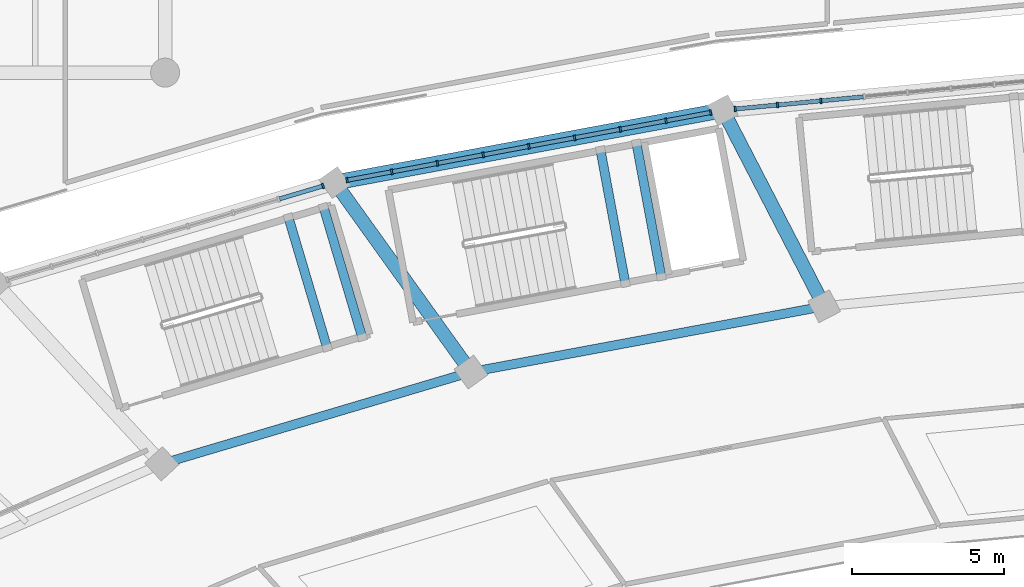
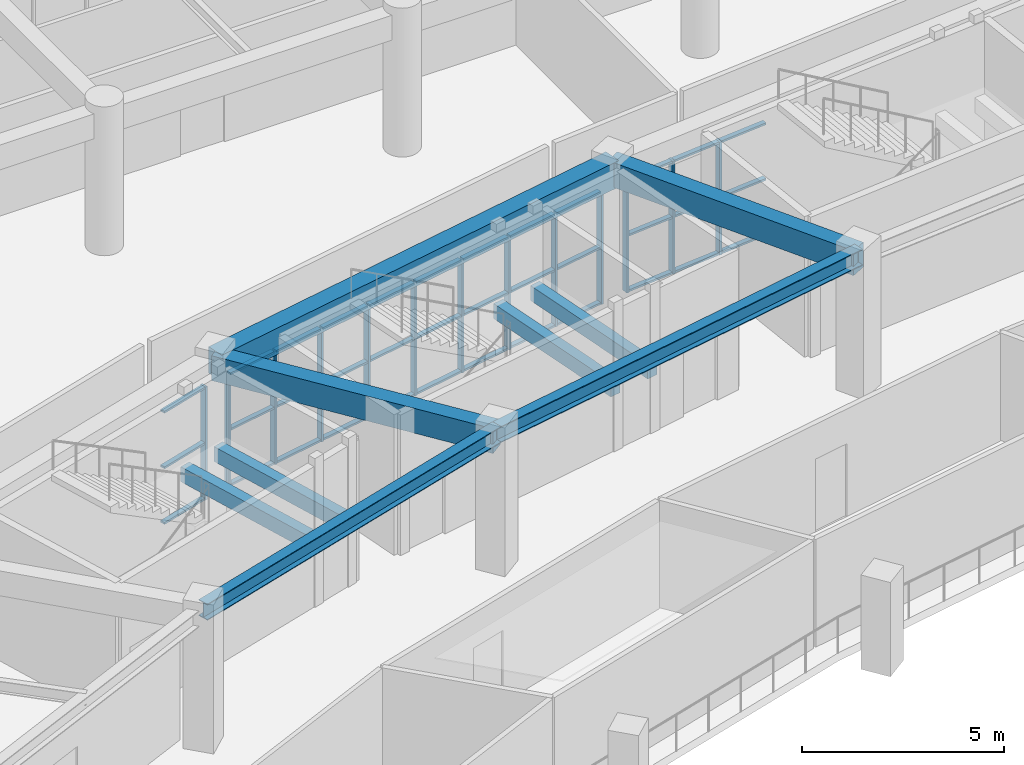
# One storey, part 55 of 141: 49 members, 9 beams, 3 elements without a shape of their own.
"""IFC4 building model written with IfcOpenShell, lengths in metres."""

from ifc_helpers import new_model, si_unit, direction, frame, origin, origin_2d, place, context, subcontext, project, spatial, rectangle, i_section, extrude, material, layer, layer_set, material_profile, profile_set, type_object, element, aggregate, save


model = new_model("IFC4")

# Units and contexts
model_context = context("Model", 3, precision=1e-05, world=origin(), true_north=direction((0.0, 1.0)))
body_context = subcontext(model_context, "Body", "Model", "MODEL_VIEW")
ifc_project = project(units=[si_unit("LENGTHUNIT", "METRE"), si_unit("AREAUNIT", "SQUARE_METRE"), si_unit("VOLUMEUNIT", "CUBIC_METRE"), si_unit("PLANEANGLEUNIT", "RADIAN"), si_unit("MASSUNIT", "GRAM", prefix="KILO")], contexts=[model_context])

# Site, building, storey
site_placement = place(None, origin())
site = spatial("IfcSite", under=ifc_project, at=site_placement, CompositionType="ELEMENT")
building_placement = place(site_placement, origin())
building = spatial("IfcBuilding", under=site, at=building_placement, Name="Mphavela Belvedere Stadium", CompositionType="ELEMENT")
storey_placement = place(building_placement, frame((0.0, 0.0, 14.699951171875)))
storey = spatial("IfcBuildingStorey", under=building, at=storey_placement, Name="L03", CompositionType="ELEMENT", Elevation=14.699951171875)

# Beams
ifc_material_1 = material(Name="Concrete C40/50", Category="concrete")
ifc_material_profile_1 = material_profile(ifc_material_1, rectangle(XDim=0.300048828125, YDim=0.449951171875, at=origin_2d()), Name="RC 300x450")
ifc_profile_set_1 = profile_set([ifc_material_profile_1], Name="Concrete C40/50")
beam_type_1 = type_object("IfcBeamType", Name="BM-RC300x450", PredefinedType="BEAM", material=ifc_profile_set_1)
for number, where, z_axis, x_axis, name in (
    (1, (74.728515625, 153.078125, 1.824951171875), (-0.18307487535, 0.983098972645, 0.0), (-0.983098972645, -0.18307487535, 0.0), "Core C02 landing trimmer beam L03-1"),
    (2, (75.908203125, 153.2978515625, 1.824951171875), (-0.18307487535, 0.983098972645, 0.0), (-0.983098972645, -0.18307487535, 0.0), "Core C02 landing trimmer beam L03-2"),
    (3, (64.94580078125, 150.971923828125, 1.824951171875), (-0.284510445837, 0.958672940168, 0.0), (-0.958672940168, -0.284510445837, 0.0), "Core P03 landing trimmer beam L03-1"),
):
    element("IfcBeam", number, at=place(storey_placement, frame(where, z_axis=z_axis, x_axis=x_axis)), inside=storey, type_object=beam_type_1, Name=name, PredefinedType="BEAM", context=body_context, shape_type="SweptSolid", body=[
        extrude(rectangle(XDim=0.300048828125, YDim=0.449951171875, at=origin_2d()), origin(), (0.0, 0.0, 1.0), 4.469970703125),
    ])
beam_1_placement = place(storey_placement, frame((66.09619140625, 151.313232421875, 1.824951171875), z_axis=(-0.284495549112, 0.958677361022, 0.0), x_axis=(-0.958677361022, -0.284495549112, 0.0)))
element("IfcBeam", 4, at=beam_1_placement, inside=storey, type_object=beam_type_1, Name="Core P03 landing trimmer beam L03-2", PredefinedType="BEAM", context=body_context, shape_type="SweptSolid", body=[
    extrude(rectangle(XDim=0.300048828125, YDim=0.449951171875, at=origin_2d()), origin(), (0.0, 0.0, 1.0), 4.47021484375),
])
ifc_material_2 = material(Name="Concrete C40/50", Category="concrete")
ifc_material_profile_2 = material_profile(ifc_material_2, rectangle(XDim=0.449951171875, YDim=0.75, at=origin_2d()), Name="RC 450x750")
ifc_profile_set_2 = profile_set([ifc_material_profile_2], Name="Concrete C40/50")
beam_type_2 = type_object("IfcBeamType", Name="BM-RC450x750", PredefinedType="BEAM", material=ifc_profile_set_2)
beam_2_placement = place(storey_placement, frame((81.249755859375, 152.33544921875, 3.875), z_axis=(-0.458951286165, 0.888461432436, 0.0), x_axis=(-0.888461432436, -0.458951286165, 0.0)))
element("IfcBeam", 5, at=beam_2_placement, inside=storey, type_object=beam_type_2, Name="Radial concourse girder L03 R3R4-15", PredefinedType="BEAM", context=body_context, shape_type="SweptSolid", body=[
    extrude(rectangle(XDim=0.449951171875, YDim=0.75, at=origin_2d()), origin(), (0.0, 0.0, 1.0), 7.2392578125),
])
beam_3_placement = place(storey_placement, frame((69.662109375, 150.177490234375, 3.875), z_axis=(-0.583043812448, 0.812440713385, 0.0), x_axis=(-0.812440713385, -0.583043812448, 0.0)))
element("IfcBeam", 6, at=beam_3_placement, inside=storey, type_object=beam_type_2, Name="Radial concourse girder L03 R3R4-16", PredefinedType="BEAM", context=body_context, shape_type="SweptSolid", body=[
    extrude(rectangle(XDim=0.449951171875, YDim=0.75, at=origin_2d()), origin(), (0.0, 0.0, 1.0), 7.6552734375),
])
ifc_material_3 = material(Name="Concrete C40/50", Category="concrete")
ifc_material_profile_3 = material_profile(ifc_material_3, rectangle(XDim=0.5, YDim=0.800048828125, at=origin_2d()), Name="RC 500x800")
ifc_profile_set_3 = profile_set([ifc_material_profile_3], Name="Concrete C40/50")
beam_type_3 = type_object("IfcBeamType", Name="BM-SPANDREL-800", PredefinedType="SPANDREL", material=ifc_profile_set_3)
beam_4_placement = place(storey_placement, frame((77.92724609375, 158.767333984375, 3.85009765625), z_axis=(-0.983098571421, -0.183077029882, 0.0), x_axis=(0.183077029882, -0.983098571421, 0.0)))
element("IfcBeam", 7, at=beam_4_placement, inside=storey, type_object=beam_type_3, Name="Circumferential girder L03 R4-15", PredefinedType="SPANDREL", context=body_context, shape_type="SweptSolid", body=[
    extrude(rectangle(XDim=0.5, YDim=0.800048828125, at=origin_2d()), origin(), (0.0, 0.0, 1.0), 12.947265625),
])
ifc_material_4 = material(Name="Steel S355", Category="steel")
ifc_material_profile_4 = material_profile(ifc_material_4, i_section(OverallWidth=0.300048828125, OverallDepth=0.489990234375, WebThickness=0.011962890625, FlangeThickness=0.02294921875, at=origin_2d()), Name="HEA 500")
ifc_profile_set_4 = profile_set([ifc_material_profile_4], Name="Steel S355")
beam_type_4 = type_object("IfcBeamType", Name="BM-STEEL-HEA500", PredefinedType="BEAM", material=ifc_profile_set_4)
beam_5_placement = place(storey_placement, frame((81.249755859375, 152.33544921875, 4.005126953125), z_axis=(-0.983097725009, -0.18308157494, 0.0), x_axis=(0.18308157494, -0.983097725009, 0.0)))
element("IfcBeam", 8, at=beam_5_placement, inside=storey, type_object=beam_type_4, Name="Circumferential girder L03 R3-15", PredefinedType="BEAM", context=body_context, shape_type="SweptSolid", body=[
    extrude(i_section(OverallWidth=0.300048828125, OverallDepth=0.489990234375, WebThickness=0.011962890625, FlangeThickness=0.02294921875, at=origin_2d()), origin(), (0.0, 0.0, 1.0), 11.786865234375),
])
beam_6_placement = place(storey_placement, frame((69.662109375, 150.177490234375, 4.005126953125), z_axis=(-0.958655230784, -0.284570111731, 0.0), x_axis=(0.284570111731, -0.958655230784, 0.0)))
element("IfcBeam", 9, at=beam_6_placement, inside=storey, type_object=beam_type_4, Name="Circumferential girder L03 R3-16", PredefinedType="BEAM", context=body_context, shape_type="SweptSolid", body=[
    extrude(i_section(OverallWidth=0.300048828125, OverallDepth=0.489990234375, WebThickness=0.011962890625, FlangeThickness=0.02294921875, at=origin_2d()), origin(), (0.0, 0.0, 1.0), 10.57568359375),
])

# Curtain wall, members
ifc_material_5 = material(Name="Anodised bronze unitised curtain wall framing")
ifc_layer_1 = layer(ifc_material_5, 0.205078125)
ifc_layer_set_1 = layer_set([ifc_layer_1], Name="Anodised bronze unitised curtain wall framing")
curtain_wall_type_1 = type_object("IfcCurtainWallType", Name="CW-UNIT-06", PredefinedType="USERDEFINED", material=ifc_layer_set_1)
curtain_wall_1_placement = place(storey_placement, origin())
curtain_wall_1 = element("IfcCurtainWall", 10, at=curtain_wall_1_placement, inside=storey, type_object=curtain_wall_type_1, Name="Belvedere colonnade curtain wall L03-14", ObjectType="UNITISED CURTAIN WALL", PredefinedType="USERDEFINED")
ifc_material_6 = material(Name="Anodised bronze extruded aluminium", Category="aluminium")
ifc_material_profile_5 = material_profile(ifc_material_6, rectangle(XDim=0.179931640625, YDim=0.06494140625, at=origin_2d()), Name="CW-MUL 180x65")
ifc_profile_set_5 = profile_set([ifc_material_profile_5], Name="Anodised bronze extruded aluminium")
member_type_1 = type_object("IfcMemberType", Name="CWM-180x65", PredefinedType="MULLION", material=ifc_profile_set_5)
member_1_placement = place(storey_placement, frame((81.1416015625, 159.073974609375, 0.0), z_axis=(0.0, 0.0, 1.0), x_axis=(0.094929381996, -0.99548400913, 0.0)))
member_1 = element("IfcMember", 11, at=member_1_placement, type_object=member_type_1, Name="CW-06 mullion 9", PredefinedType="MULLION", context=body_context, shape_type="SweptSolid", body=[
    extrude(rectangle(XDim=0.179931640625, YDim=0.06494140625, at=origin_2d()), origin(), (0.0, 0.0, 1.0), 3.420166015625),
])
member_2_placement = place(storey_placement, frame((79.719970703125, 158.9384765625, 0.0), z_axis=(0.0, 0.0, 1.0), x_axis=(0.094929381996, -0.99548400913, 0.0)))
member_2 = element("IfcMember", 12, at=member_2_placement, type_object=member_type_1, Name="CW-06 mullion 10", PredefinedType="MULLION", context=body_context, shape_type="SweptSolid", body=[
    extrude(rectangle(XDim=0.179931640625, YDim=0.06494140625, at=origin_2d()), origin(), (0.0, 0.0, 1.0), 3.420166015625),
])
member_3_placement = place(storey_placement, frame((78.330810546875, 158.805908203125, 0.0), z_axis=(0.0, 0.0, 1.0), x_axis=(0.094929381996, -0.99548400913, 0.0)))
member_3 = element("IfcMember", 13, at=member_3_placement, type_object=member_type_1, Name="CW-06 mullion 11", PredefinedType="MULLION", context=body_context, shape_type="SweptSolid", body=[
    extrude(rectangle(XDim=0.179931640625, YDim=0.06494140625, at=origin_2d()), origin(), (0.0, 0.0, 1.0), 3.420166015625),
])

ifc_material_7 = material(Name="Anodised bronze unitised curtain wall framing")
ifc_layer_2 = layer(ifc_material_7, 0.179931640625)
ifc_layer_set_2 = layer_set([ifc_layer_2], Name="Anodised bronze unitised curtain wall framing")
curtain_wall_type_2 = type_object("IfcCurtainWallType", Name="CW-UNIT-01", PredefinedType="USERDEFINED", material=ifc_layer_set_2)
curtain_wall_2_placement = place(storey_placement, origin())
curtain_wall_2 = element("IfcCurtainWall", 14, at=curtain_wall_2_placement, inside=storey, type_object=curtain_wall_type_2, Name="Belvedere colonnade curtain wall L03-15", ObjectType="UNITISED CURTAIN WALL", PredefinedType="USERDEFINED")
member_4_placement = place(storey_placement, frame((77.528564453125, 158.693115234375, 0.0), z_axis=(0.0, 0.0, 1.0), x_axis=(0.18308790129, -0.983096546836, 0.0)))
member_4 = element("IfcMember", 15, at=member_4_placement, type_object=member_type_1, Name="CW-01 mullion 1", PredefinedType="MULLION", context=body_context, shape_type="SweptSolid", body=[
    extrude(rectangle(XDim=0.179931640625, YDim=0.06494140625, at=origin_2d()), origin(), (0.0, 0.0, 1.0), 3.420166015625),
])
member_5_placement = place(storey_placement, frame((76.06103515625, 158.419921875, 0.0), z_axis=(0.0, 0.0, 1.0), x_axis=(0.18308790129, -0.983096546836, 0.0)))
member_5 = element("IfcMember", 16, at=member_5_placement, type_object=member_type_1, Name="CW-01 mullion 2", PredefinedType="MULLION", context=body_context, shape_type="SweptSolid", body=[
    extrude(rectangle(XDim=0.179931640625, YDim=0.06494140625, at=origin_2d()), origin(), (0.0, 0.0, 1.0), 3.420166015625),
])
member_6_placement = place(storey_placement, frame((74.561767578125, 158.140625, 0.0), z_axis=(0.0, 0.0, 1.0), x_axis=(0.18308790129, -0.983096546836, 0.0)))
member_6 = element("IfcMember", 17, at=member_6_placement, type_object=member_type_1, Name="CW-01 mullion 3", PredefinedType="MULLION", context=body_context, shape_type="SweptSolid", body=[
    extrude(rectangle(XDim=0.179931640625, YDim=0.06494140625, at=origin_2d()), origin(), (0.0, 0.0, 1.0), 3.420166015625),
])
member_7_placement = place(storey_placement, frame((73.062255859375, 157.861328125, 0.0), z_axis=(0.0, 0.0, 1.0), x_axis=(0.18308790129, -0.983096546836, 0.0)))
member_7 = element("IfcMember", 18, at=member_7_placement, type_object=member_type_1, Name="CW-01 mullion 4", PredefinedType="MULLION", context=body_context, shape_type="SweptSolid", body=[
    extrude(rectangle(XDim=0.179931640625, YDim=0.06494140625, at=origin_2d()), origin(), (0.0, 0.0, 1.0), 3.420166015625),
])
member_8_placement = place(storey_placement, frame((71.56298828125, 157.58203125, 0.0), z_axis=(0.0, 0.0, 1.0), x_axis=(0.18308790129, -0.983096546836, 0.0)))
member_8 = element("IfcMember", 19, at=member_8_placement, type_object=member_type_1, Name="CW-01 mullion 5", PredefinedType="MULLION", context=body_context, shape_type="SweptSolid", body=[
    extrude(rectangle(XDim=0.179931640625, YDim=0.06494140625, at=origin_2d()), origin(), (0.0, 0.0, 1.0), 3.420166015625),
])
member_9_placement = place(storey_placement, frame((70.063720703125, 157.302978515625, 0.0), z_axis=(0.0, 0.0, 1.0), x_axis=(0.18308790129, -0.983096546836, 0.0)))
member_9 = element("IfcMember", 20, at=member_9_placement, type_object=member_type_1, Name="CW-01 mullion 6", PredefinedType="MULLION", context=body_context, shape_type="SweptSolid", body=[
    extrude(rectangle(XDim=0.179931640625, YDim=0.06494140625, at=origin_2d()), origin(), (0.0, 0.0, 1.0), 3.420166015625),
])
member_10_placement = place(storey_placement, frame((68.564208984375, 157.023681640625, 0.0), z_axis=(0.0, 0.0, 1.0), x_axis=(0.18308790129, -0.983096546836, 0.0)))
member_10 = element("IfcMember", 21, at=member_10_placement, type_object=member_type_1, Name="CW-01 mullion 7", PredefinedType="MULLION", context=body_context, shape_type="SweptSolid", body=[
    extrude(rectangle(XDim=0.179931640625, YDim=0.06494140625, at=origin_2d()), origin(), (0.0, 0.0, 1.0), 3.420166015625),
])
member_11_placement = place(storey_placement, frame((67.06494140625, 156.744384765625, 0.0), z_axis=(0.0, 0.0, 1.0), x_axis=(0.18308790129, -0.983096546836, 0.0)))
member_11 = element("IfcMember", 22, at=member_11_placement, type_object=member_type_1, Name="CW-01 mullion 8", PredefinedType="MULLION", context=body_context, shape_type="SweptSolid", body=[
    extrude(rectangle(XDim=0.179931640625, YDim=0.06494140625, at=origin_2d()), origin(), (0.0, 0.0, 1.0), 3.420166015625),
])
member_12_placement = place(storey_placement, frame((65.597412109375, 156.47119140625, 0.0), z_axis=(0.0, 0.0, 1.0), x_axis=(0.18308790129, -0.983096546836, 0.0)))
member_12 = element("IfcMember", 23, at=member_12_placement, type_object=member_type_1, Name="CW-01 mullion 9", PredefinedType="MULLION", context=body_context, shape_type="SweptSolid", body=[
    extrude(rectangle(XDim=0.179931640625, YDim=0.06494140625, at=origin_2d()), origin(), (0.0, 0.0, 1.0), 3.420166015625),
])

# Curtain wall, member
ifc_material_8 = material(Name="Anodised bronze unitised curtain wall framing")
ifc_layer_3 = layer(ifc_material_8, 0.18505859375)
ifc_layer_set_3 = layer_set([ifc_layer_3], Name="Anodised bronze unitised curtain wall framing")
curtain_wall_type_3 = type_object("IfcCurtainWallType", Name="CW-UNIT-02", PredefinedType="USERDEFINED", material=ifc_layer_set_3)
curtain_wall_3_placement = place(storey_placement, origin())
curtain_wall_3 = element("IfcCurtainWall", 24, at=curtain_wall_3_placement, inside=storey, type_object=curtain_wall_type_3, Name="Belvedere colonnade curtain wall L03-16", ObjectType="UNITISED CURTAIN WALL", PredefinedType="USERDEFINED")
member_13_placement = place(storey_placement, frame((64.81005859375, 156.281494140625, 0.0), z_axis=(0.0, 0.0, 1.0), x_axis=(0.284565000591, -0.958656747975, 0.0)))
member_13 = element("IfcMember", 25, at=member_13_placement, type_object=member_type_1, Name="CW-02 mullion 1", PredefinedType="MULLION", context=body_context, shape_type="SweptSolid", body=[
    extrude(rectangle(XDim=0.179931640625, YDim=0.06494140625, at=origin_2d()), origin(), (0.0, 0.0, 1.0), 3.420166015625),
])

# Member
ifc_material_9 = material(Name="Anodised bronze extruded aluminium", Category="aluminium")
ifc_material_profile_6 = material_profile(ifc_material_9, rectangle(XDim=0.139892578125, YDim=0.06005859375, at=origin_2d()), Name="CW-TRN 140x60")
ifc_profile_set_6 = profile_set([ifc_material_profile_6], Name="Anodised bronze extruded aluminium")
member_type_2 = type_object("IfcMemberType", Name="CWT-140x60", PredefinedType="USERDEFINED", material=ifc_profile_set_6)
member_14_placement = place(storey_placement, frame((82.53076171875, 159.206298828125, 0.030029296875), z_axis=(-0.995482581407, -0.094944352734, 0.0), x_axis=(0.094944352734, -0.995482581407, 0.0)))
member_14 = element("IfcMember", 26, at=member_14_placement, type_object=member_type_2, Name="CW-06 transom 8.1", ObjectType="TRANSOM", PredefinedType="USERDEFINED", context=body_context, shape_type="SweptSolid", body=[
    extrude(rectangle(XDim=0.139892578125, YDim=0.06005859375, at=origin_2d()), origin(), (0.0, 0.0, 1.0), 1.36279296875),
])

member_15_placement = place(storey_placement, frame((82.53076171875, 159.206298828125, 1.7099609375), z_axis=(-0.995482581407, -0.094944352734, 0.0), x_axis=(0.094944352734, -0.995482581407, 0.0)))
member_15 = element("IfcMember", 27, at=member_15_placement, type_object=member_type_2, Name="CW-06 transom 8.2", ObjectType="TRANSOM", PredefinedType="USERDEFINED", context=body_context, shape_type="SweptSolid", body=[
    extrude(rectangle(XDim=0.139892578125, YDim=0.06005859375, at=origin_2d()), origin(), (0.0, 0.0, 1.0), 1.36279296875),
])

member_16_placement = place(storey_placement, frame((82.53076171875, 159.206298828125, 3.39013671875), z_axis=(-0.995482581407, -0.094944352734, 0.0), x_axis=(0.094944352734, -0.995482581407, 0.0)))
member_16 = element("IfcMember", 28, at=member_16_placement, type_object=member_type_2, Name="CW-06 transom 8.3", ObjectType="TRANSOM", PredefinedType="USERDEFINED", context=body_context, shape_type="SweptSolid", body=[
    extrude(rectangle(XDim=0.139892578125, YDim=0.06005859375, at=origin_2d()), origin(), (0.0, 0.0, 1.0), 1.36279296875),
])

member_17_placement = place(storey_placement, frame((81.109375, 159.07080078125, 0.030029296875), z_axis=(-0.995484195822, -0.094927424215, 0.0), x_axis=(0.094927424215, -0.995484195822, 0.0)))
member_17 = element("IfcMember", 29, at=member_17_placement, type_object=member_type_2, Name="CW-06 transom 9.1", ObjectType="TRANSOM", PredefinedType="USERDEFINED", context=body_context, shape_type="SweptSolid", body=[
    extrude(rectangle(XDim=0.139892578125, YDim=0.06005859375, at=origin_2d()), origin(), (0.0, 0.0, 1.0), 1.363037109375),
])

member_18_placement = place(storey_placement, frame((81.109375, 159.07080078125, 1.7099609375), z_axis=(-0.995484195822, -0.094927424215, 0.0), x_axis=(0.094927424215, -0.995484195822, 0.0)))
member_18 = element("IfcMember", 30, at=member_18_placement, type_object=member_type_2, Name="CW-06 transom 9.2", ObjectType="TRANSOM", PredefinedType="USERDEFINED", context=body_context, shape_type="SweptSolid", body=[
    extrude(rectangle(XDim=0.139892578125, YDim=0.06005859375, at=origin_2d()), origin(), (0.0, 0.0, 1.0), 1.363037109375),
])

member_19_placement = place(storey_placement, frame((81.109375, 159.07080078125, 3.39013671875), z_axis=(-0.995484195822, -0.094927424215, 0.0), x_axis=(0.094927424215, -0.995484195822, 0.0)))
member_19 = element("IfcMember", 31, at=member_19_placement, type_object=member_type_2, Name="CW-06 transom 9.3", ObjectType="TRANSOM", PredefinedType="USERDEFINED", context=body_context, shape_type="SweptSolid", body=[
    extrude(rectangle(XDim=0.139892578125, YDim=0.06005859375, at=origin_2d()), origin(), (0.0, 0.0, 1.0), 1.363037109375),
])

member_20_placement = place(storey_placement, frame((79.687744140625, 158.935302734375, 0.030029296875), z_axis=(-0.995489697702, -0.09486970944, 0.0), x_axis=(0.09486970944, -0.995489697702, 0.0)))
member_20 = element("IfcMember", 32, at=member_20_placement, type_object=member_type_2, Name="CW-06 transom 10.1", ObjectType="TRANSOM", PredefinedType="USERDEFINED", context=body_context, shape_type="SweptSolid", body=[
    extrude(rectangle(XDim=0.139892578125, YDim=0.06005859375, at=origin_2d()), origin(), (0.0, 0.0, 1.0), 1.33056640625),
])

member_21_placement = place(storey_placement, frame((79.687744140625, 158.935302734375, 1.7099609375), z_axis=(-0.995489697702, -0.09486970944, 0.0), x_axis=(0.09486970944, -0.995489697702, 0.0)))
member_21 = element("IfcMember", 33, at=member_21_placement, type_object=member_type_2, Name="CW-06 transom 10.2", ObjectType="TRANSOM", PredefinedType="USERDEFINED", context=body_context, shape_type="SweptSolid", body=[
    extrude(rectangle(XDim=0.139892578125, YDim=0.06005859375, at=origin_2d()), origin(), (0.0, 0.0, 1.0), 1.33056640625),
])

member_22_placement = place(storey_placement, frame((79.687744140625, 158.935302734375, 3.39013671875), z_axis=(-0.995489697702, -0.09486970944, 0.0), x_axis=(0.09486970944, -0.995489697702, 0.0)))
member_22 = element("IfcMember", 34, at=member_22_placement, type_object=member_type_2, Name="CW-06 transom 10.3", ObjectType="TRANSOM", PredefinedType="USERDEFINED", context=body_context, shape_type="SweptSolid", body=[
    extrude(rectangle(XDim=0.139892578125, YDim=0.06005859375, at=origin_2d()), origin(), (0.0, 0.0, 1.0), 1.33056640625),
])

aggregate(curtain_wall_1, [member_1, member_2, member_3, member_14, member_15, member_16, member_17, member_18, member_19, member_20, member_21, member_22])

member_23_placement = place(storey_placement, frame((77.49658203125, 158.687255859375, 0.030029296875), z_axis=(-0.983086399659, -0.183142378507, 0.0), x_axis=(0.183142378507, -0.983086399659, 0.0)))
member_23 = element("IfcMember", 35, at=member_23_placement, type_object=member_type_2, Name="CW-01 transom 1.1", ObjectType="TRANSOM", PredefinedType="USERDEFINED", context=body_context, shape_type="SweptSolid", body=[
    extrude(rectangle(XDim=0.139892578125, YDim=0.06005859375, at=origin_2d()), origin(), (0.0, 0.0, 1.0), 1.427734375),
])

member_24_placement = place(storey_placement, frame((77.49658203125, 158.687255859375, 1.7099609375), z_axis=(-0.983086399659, -0.183142378507, 0.0), x_axis=(0.183142378507, -0.983086399659, 0.0)))
member_24 = element("IfcMember", 36, at=member_24_placement, type_object=member_type_2, Name="CW-01 transom 1.2", ObjectType="TRANSOM", PredefinedType="USERDEFINED", context=body_context, shape_type="SweptSolid", body=[
    extrude(rectangle(XDim=0.139892578125, YDim=0.06005859375, at=origin_2d()), origin(), (0.0, 0.0, 1.0), 1.427734375),
])

member_25_placement = place(storey_placement, frame((77.49658203125, 158.687255859375, 3.39013671875), z_axis=(-0.983086399659, -0.183142378507, 0.0), x_axis=(0.183142378507, -0.983086399659, 0.0)))
member_25 = element("IfcMember", 37, at=member_25_placement, type_object=member_type_2, Name="CW-01 transom 1.3", ObjectType="TRANSOM", PredefinedType="USERDEFINED", context=body_context, shape_type="SweptSolid", body=[
    extrude(rectangle(XDim=0.139892578125, YDim=0.06005859375, at=origin_2d()), origin(), (0.0, 0.0, 1.0), 1.427734375),
])

member_26_placement = place(storey_placement, frame((76.029052734375, 158.413818359375, 0.030029296875), z_axis=(-0.983092966177, -0.183107126716, 0.0), x_axis=(0.183107126716, -0.983092966177, 0.0)))
member_26 = element("IfcMember", 38, at=member_26_placement, type_object=member_type_2, Name="CW-01 transom 2.1", ObjectType="TRANSOM", PredefinedType="USERDEFINED", context=body_context, shape_type="SweptSolid", body=[
    extrude(rectangle(XDim=0.139892578125, YDim=0.06005859375, at=origin_2d()), origin(), (0.0, 0.0, 1.0), 1.4599609375),
])

member_27_placement = place(storey_placement, frame((76.029052734375, 158.413818359375, 1.7099609375), z_axis=(-0.983092966177, -0.183107126716, 0.0), x_axis=(0.183107126716, -0.983092966177, 0.0)))
member_27 = element("IfcMember", 39, at=member_27_placement, type_object=member_type_2, Name="CW-01 transom 2.2", ObjectType="TRANSOM", PredefinedType="USERDEFINED", context=body_context, shape_type="SweptSolid", body=[
    extrude(rectangle(XDim=0.139892578125, YDim=0.06005859375, at=origin_2d()), origin(), (0.0, 0.0, 1.0), 1.4599609375),
])

member_28_placement = place(storey_placement, frame((76.029052734375, 158.413818359375, 3.39013671875), z_axis=(-0.983092966177, -0.183107126716, 0.0), x_axis=(0.183107126716, -0.983092966177, 0.0)))
member_28 = element("IfcMember", 40, at=member_28_placement, type_object=member_type_2, Name="CW-01 transom 2.3", ObjectType="TRANSOM", PredefinedType="USERDEFINED", context=body_context, shape_type="SweptSolid", body=[
    extrude(rectangle(XDim=0.139892578125, YDim=0.06005859375, at=origin_2d()), origin(), (0.0, 0.0, 1.0), 1.4599609375),
])

member_29_placement = place(storey_placement, frame((74.52978515625, 158.134765625, 0.030029296875), z_axis=(-0.983098571421, -0.183077029882, 0.0), x_axis=(0.183077029882, -0.983098571421, 0.0)))
member_29 = element("IfcMember", 41, at=member_29_placement, type_object=member_type_2, Name="CW-01 transom 3.1", ObjectType="TRANSOM", PredefinedType="USERDEFINED", context=body_context, shape_type="SweptSolid", body=[
    extrude(rectangle(XDim=0.139892578125, YDim=0.06005859375, at=origin_2d()), origin(), (0.0, 0.0, 1.0), 1.460205078125),
])

member_30_placement = place(storey_placement, frame((74.52978515625, 158.134765625, 1.7099609375), z_axis=(-0.983098571421, -0.183077029882, 0.0), x_axis=(0.183077029882, -0.983098571421, 0.0)))
member_30 = element("IfcMember", 42, at=member_30_placement, type_object=member_type_2, Name="CW-01 transom 3.2", ObjectType="TRANSOM", PredefinedType="USERDEFINED", context=body_context, shape_type="SweptSolid", body=[
    extrude(rectangle(XDim=0.139892578125, YDim=0.06005859375, at=origin_2d()), origin(), (0.0, 0.0, 1.0), 1.460205078125),
])

member_31_placement = place(storey_placement, frame((74.52978515625, 158.134765625, 3.39013671875), z_axis=(-0.983098571421, -0.183077029882, 0.0), x_axis=(0.183077029882, -0.983098571421, 0.0)))
member_31 = element("IfcMember", 43, at=member_31_placement, type_object=member_type_2, Name="CW-01 transom 3.3", ObjectType="TRANSOM", PredefinedType="USERDEFINED", context=body_context, shape_type="SweptSolid", body=[
    extrude(rectangle(XDim=0.139892578125, YDim=0.06005859375, at=origin_2d()), origin(), (0.0, 0.0, 1.0), 1.460205078125),
])

member_32_placement = place(storey_placement, frame((73.030517578125, 157.85546875, 0.030029296875), z_axis=(-0.983098571421, -0.183077029882, 0.0), x_axis=(0.183077029882, -0.983098571421, 0.0)))
member_32 = element("IfcMember", 44, at=member_32_placement, type_object=member_type_2, Name="CW-01 transom 4.1", ObjectType="TRANSOM", PredefinedType="USERDEFINED", context=body_context, shape_type="SweptSolid", body=[
    extrude(rectangle(XDim=0.139892578125, YDim=0.06005859375, at=origin_2d()), origin(), (0.0, 0.0, 1.0), 1.460205078125),
])

member_33_placement = place(storey_placement, frame((73.030517578125, 157.85546875, 1.7099609375), z_axis=(-0.983098571421, -0.183077029882, 0.0), x_axis=(0.183077029882, -0.983098571421, 0.0)))
member_33 = element("IfcMember", 45, at=member_33_placement, type_object=member_type_2, Name="CW-01 transom 4.2", ObjectType="TRANSOM", PredefinedType="USERDEFINED", context=body_context, shape_type="SweptSolid", body=[
    extrude(rectangle(XDim=0.139892578125, YDim=0.06005859375, at=origin_2d()), origin(), (0.0, 0.0, 1.0), 1.460205078125),
])

member_34_placement = place(storey_placement, frame((73.030517578125, 157.85546875, 3.39013671875), z_axis=(-0.983098571421, -0.183077029882, 0.0), x_axis=(0.183077029882, -0.983098571421, 0.0)))
member_34 = element("IfcMember", 46, at=member_34_placement, type_object=member_type_2, Name="CW-01 transom 4.3", ObjectType="TRANSOM", PredefinedType="USERDEFINED", context=body_context, shape_type="SweptSolid", body=[
    extrude(rectangle(XDim=0.139892578125, YDim=0.06005859375, at=origin_2d()), origin(), (0.0, 0.0, 1.0), 1.460205078125),
])

member_35_placement = place(storey_placement, frame((71.531005859375, 157.576171875, 0.030029296875), z_axis=(-0.983098571421, -0.183077029882, 0.0), x_axis=(0.183077029882, -0.983098571421, 0.0)))
member_35 = element("IfcMember", 47, at=member_35_placement, type_object=member_type_2, Name="CW-01 transom 5.1", ObjectType="TRANSOM", PredefinedType="USERDEFINED", context=body_context, shape_type="SweptSolid", body=[
    extrude(rectangle(XDim=0.139892578125, YDim=0.06005859375, at=origin_2d()), origin(), (0.0, 0.0, 1.0), 1.460205078125),
])

member_36_placement = place(storey_placement, frame((71.531005859375, 157.576171875, 1.7099609375), z_axis=(-0.983098571421, -0.183077029882, 0.0), x_axis=(0.183077029882, -0.983098571421, 0.0)))
member_36 = element("IfcMember", 48, at=member_36_placement, type_object=member_type_2, Name="CW-01 transom 5.2", ObjectType="TRANSOM", PredefinedType="USERDEFINED", context=body_context, shape_type="SweptSolid", body=[
    extrude(rectangle(XDim=0.139892578125, YDim=0.06005859375, at=origin_2d()), origin(), (0.0, 0.0, 1.0), 1.460205078125),
])

member_37_placement = place(storey_placement, frame((71.531005859375, 157.576171875, 3.39013671875), z_axis=(-0.983098571421, -0.183077029882, 0.0), x_axis=(0.183077029882, -0.983098571421, 0.0)))
member_37 = element("IfcMember", 49, at=member_37_placement, type_object=member_type_2, Name="CW-01 transom 5.3", ObjectType="TRANSOM", PredefinedType="USERDEFINED", context=body_context, shape_type="SweptSolid", body=[
    extrude(rectangle(XDim=0.139892578125, YDim=0.06005859375, at=origin_2d()), origin(), (0.0, 0.0, 1.0), 1.460205078125),
])

member_38_placement = place(storey_placement, frame((70.03173828125, 157.296875, 0.030029296875), z_axis=(-0.983098571421, -0.183077029882, 0.0), x_axis=(0.183077029882, -0.983098571421, 0.0)))
member_38 = element("IfcMember", 50, at=member_38_placement, type_object=member_type_2, Name="CW-01 transom 6.1", ObjectType="TRANSOM", PredefinedType="USERDEFINED", context=body_context, shape_type="SweptSolid", body=[
    extrude(rectangle(XDim=0.139892578125, YDim=0.06005859375, at=origin_2d()), origin(), (0.0, 0.0, 1.0), 1.460205078125),
])

member_39_placement = place(storey_placement, frame((70.03173828125, 157.296875, 1.7099609375), z_axis=(-0.983098571421, -0.183077029882, 0.0), x_axis=(0.183077029882, -0.983098571421, 0.0)))
member_39 = element("IfcMember", 51, at=member_39_placement, type_object=member_type_2, Name="CW-01 transom 6.2", ObjectType="TRANSOM", PredefinedType="USERDEFINED", context=body_context, shape_type="SweptSolid", body=[
    extrude(rectangle(XDim=0.139892578125, YDim=0.06005859375, at=origin_2d()), origin(), (0.0, 0.0, 1.0), 1.460205078125),
])

member_40_placement = place(storey_placement, frame((70.03173828125, 157.296875, 3.39013671875), z_axis=(-0.983098571421, -0.183077029882, 0.0), x_axis=(0.183077029882, -0.983098571421, 0.0)))
member_40 = element("IfcMember", 52, at=member_40_placement, type_object=member_type_2, Name="CW-01 transom 6.3", ObjectType="TRANSOM", PredefinedType="USERDEFINED", context=body_context, shape_type="SweptSolid", body=[
    extrude(rectangle(XDim=0.139892578125, YDim=0.06005859375, at=origin_2d()), origin(), (0.0, 0.0, 1.0), 1.460205078125),
])

member_41_placement = place(storey_placement, frame((68.5322265625, 157.017822265625, 0.030029296875), z_axis=(-0.983092966177, -0.183107126716, 0.0), x_axis=(0.183107126716, -0.983092966177, 0.0)))
member_41 = element("IfcMember", 53, at=member_41_placement, type_object=member_type_2, Name="CW-01 transom 7.1", ObjectType="TRANSOM", PredefinedType="USERDEFINED", context=body_context, shape_type="SweptSolid", body=[
    extrude(rectangle(XDim=0.139892578125, YDim=0.06005859375, at=origin_2d()), origin(), (0.0, 0.0, 1.0), 1.4599609375),
])

member_42_placement = place(storey_placement, frame((68.5322265625, 157.017822265625, 1.7099609375), z_axis=(-0.983092966177, -0.183107126716, 0.0), x_axis=(0.183107126716, -0.983092966177, 0.0)))
member_42 = element("IfcMember", 54, at=member_42_placement, type_object=member_type_2, Name="CW-01 transom 7.2", ObjectType="TRANSOM", PredefinedType="USERDEFINED", context=body_context, shape_type="SweptSolid", body=[
    extrude(rectangle(XDim=0.139892578125, YDim=0.06005859375, at=origin_2d()), origin(), (0.0, 0.0, 1.0), 1.4599609375),
])

member_43_placement = place(storey_placement, frame((68.5322265625, 157.017822265625, 3.39013671875), z_axis=(-0.983092966177, -0.183107126716, 0.0), x_axis=(0.183107126716, -0.983092966177, 0.0)))
member_43 = element("IfcMember", 55, at=member_43_placement, type_object=member_type_2, Name="CW-01 transom 7.3", ObjectType="TRANSOM", PredefinedType="USERDEFINED", context=body_context, shape_type="SweptSolid", body=[
    extrude(rectangle(XDim=0.139892578125, YDim=0.06005859375, at=origin_2d()), origin(), (0.0, 0.0, 1.0), 1.4599609375),
])

member_44_placement = place(storey_placement, frame((67.032958984375, 156.738525390625, 0.030029296875), z_axis=(-0.983086399659, -0.183142378507, 0.0), x_axis=(0.183142378507, -0.983086399659, 0.0)))
member_44 = element("IfcMember", 56, at=member_44_placement, type_object=member_type_2, Name="CW-01 transom 8.1", ObjectType="TRANSOM", PredefinedType="USERDEFINED", context=body_context, shape_type="SweptSolid", body=[
    extrude(rectangle(XDim=0.139892578125, YDim=0.06005859375, at=origin_2d()), origin(), (0.0, 0.0, 1.0), 1.427734375),
])

member_45_placement = place(storey_placement, frame((67.032958984375, 156.738525390625, 1.7099609375), z_axis=(-0.983086399659, -0.183142378507, 0.0), x_axis=(0.183142378507, -0.983086399659, 0.0)))
member_45 = element("IfcMember", 57, at=member_45_placement, type_object=member_type_2, Name="CW-01 transom 8.2", ObjectType="TRANSOM", PredefinedType="USERDEFINED", context=body_context, shape_type="SweptSolid", body=[
    extrude(rectangle(XDim=0.139892578125, YDim=0.06005859375, at=origin_2d()), origin(), (0.0, 0.0, 1.0), 1.427734375),
])

member_46_placement = place(storey_placement, frame((67.032958984375, 156.738525390625, 3.39013671875), z_axis=(-0.983086399659, -0.183142378507, 0.0), x_axis=(0.183142378507, -0.983086399659, 0.0)))
member_46 = element("IfcMember", 58, at=member_46_placement, type_object=member_type_2, Name="CW-01 transom 8.3", ObjectType="TRANSOM", PredefinedType="USERDEFINED", context=body_context, shape_type="SweptSolid", body=[
    extrude(rectangle(XDim=0.139892578125, YDim=0.06005859375, at=origin_2d()), origin(), (0.0, 0.0, 1.0), 1.427734375),
])

aggregate(curtain_wall_2, [member_4, member_5, member_6, member_7, member_8, member_9, member_10, member_11, member_12, member_23, member_24, member_25, member_26, member_27, member_28, member_29, member_30, member_31, member_32, member_33, member_34, member_35, member_36, member_37, member_38, member_39, member_40, member_41, member_42, member_43, member_44, member_45, member_46])

member_47_placement = place(storey_placement, frame((64.77880859375, 156.272216796875, 0.030029296875), z_axis=(-0.958676180284, -0.284499527867, 0.0), x_axis=(0.284499527867, -0.958676180284, 0.0)))
member_47 = element("IfcMember", 59, at=member_47_placement, type_object=member_type_2, Name="CW-02 transom 1.1", ObjectType="TRANSOM", PredefinedType="USERDEFINED", context=body_context, shape_type="SweptSolid", body=[
    extrude(rectangle(XDim=0.139892578125, YDim=0.06005859375, at=origin_2d()), origin(), (0.0, 0.0, 1.0), 1.455322265625),
])

member_48_placement = place(storey_placement, frame((64.77880859375, 156.272216796875, 1.7099609375), z_axis=(-0.958676180284, -0.284499527867, 0.0), x_axis=(0.284499527867, -0.958676180284, 0.0)))
member_48 = element("IfcMember", 60, at=member_48_placement, type_object=member_type_2, Name="CW-02 transom 1.2", ObjectType="TRANSOM", PredefinedType="USERDEFINED", context=body_context, shape_type="SweptSolid", body=[
    extrude(rectangle(XDim=0.139892578125, YDim=0.06005859375, at=origin_2d()), origin(), (0.0, 0.0, 1.0), 1.455322265625),
])

member_49_placement = place(storey_placement, frame((64.77880859375, 156.272216796875, 3.39013671875), z_axis=(-0.958676180284, -0.284499527867, 0.0), x_axis=(0.284499527867, -0.958676180284, 0.0)))
member_49 = element("IfcMember", 61, at=member_49_placement, type_object=member_type_2, Name="CW-02 transom 1.3", ObjectType="TRANSOM", PredefinedType="USERDEFINED", context=body_context, shape_type="SweptSolid", body=[
    extrude(rectangle(XDim=0.139892578125, YDim=0.06005859375, at=origin_2d()), origin(), (0.0, 0.0, 1.0), 1.455322265625),
])

aggregate(curtain_wall_3, [member_13, member_47, member_48, member_49])

save(model, "model.ifc")
